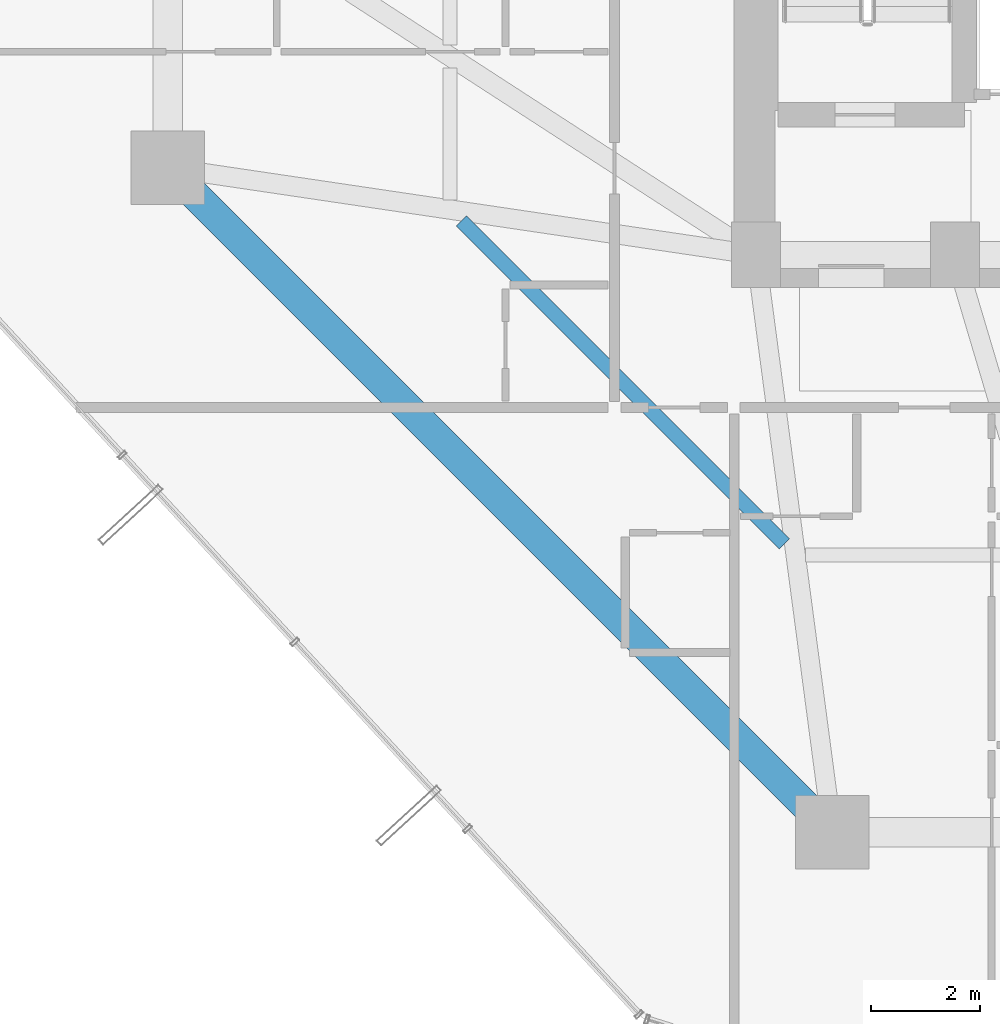
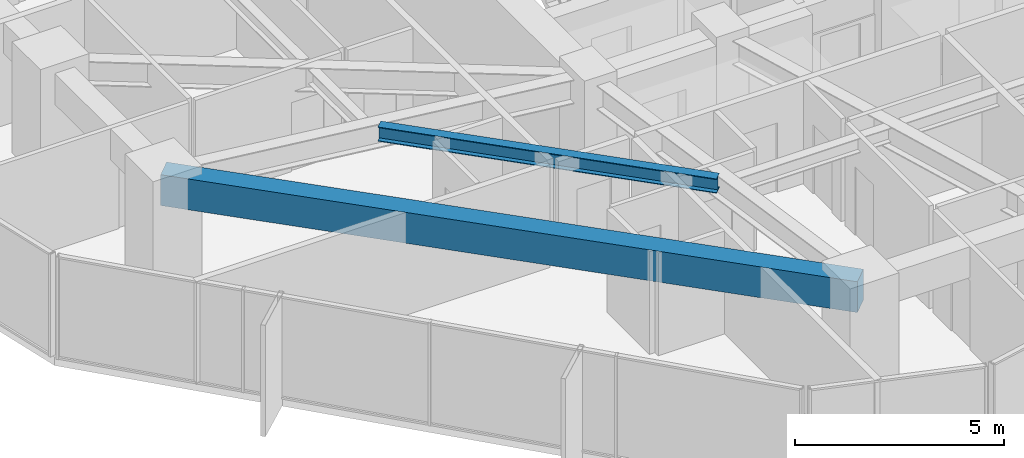
# One storey, part 5 of 39: 2 beams.
"""IFC4 building model written with IfcOpenShell, lengths in metres."""

from ifc_helpers import new_model, si_unit, direction, frame, origin, origin_2d, place, context, subcontext, project, spatial, rectangle, i_section, extrude, material, material_profile, profile_set, type_object, element, save


model = new_model("IFC4")

# Units and contexts
model_context = context("Model", 3, precision=1e-05, world=origin(), true_north=direction((0.0, 1.0)))
body_context = subcontext(model_context, "Body", "Model", "MODEL_VIEW")
ifc_project = project(units=[si_unit("LENGTHUNIT", "METRE"), si_unit("AREAUNIT", "SQUARE_METRE"), si_unit("VOLUMEUNIT", "CUBIC_METRE"), si_unit("PLANEANGLEUNIT", "RADIAN"), si_unit("MASSUNIT", "GRAM", prefix="KILO")], contexts=[model_context])

# Site, building, storey
site_placement = place(None, origin())
site = spatial("IfcSite", under=ifc_project, at=site_placement, CompositionType="ELEMENT")
building_placement = place(site_placement, origin())
building = spatial("IfcBuilding", under=site, at=building_placement, Name="Veraguas Prism Commons", CompositionType="ELEMENT")
storey_placement = place(building_placement, frame((0.0, 0.0, 67.35009765625)))
storey = spatial("IfcBuildingStorey", under=building, at=storey_placement, Name="L18", CompositionType="ELEMENT", Elevation=67.35009765625)

# Beams
ifc_material_1 = material(Name="Steel ASTM A992 Grade 50", Category="steel")
ifc_material_profile_1 = material_profile(ifc_material_1, i_section(OverallWidth=0.260986328125, OverallDepth=0.419921875, WebThickness=0.01171875, FlangeThickness=0.019287109375, at=origin_2d()), Name="W410X114")
ifc_profile_set_1 = profile_set([ifc_material_profile_1], Name="Steel ASTM A992 Grade 50")
beam_type_1 = type_object("IfcBeamType", Name="Lower Floor Joist W410x114", PredefinedType="JOIST", material=ifc_profile_set_1)
beam_1_placement = place(storey_placement, frame((11.79296875, 17.623046875, 2.789794921875), z_axis=(0.707092226423, -0.70712133565, 0.0), x_axis=(0.70712133565, 0.707092226423, 0.0)))
element("IfcBeam", 1, at=beam_1_placement, inside=storey, type_object=beam_type_1, Name="Composite Floor Joist L18-JS09", PredefinedType="JOIST", context=body_context, shape_type="SweptSolid", body=[
    extrude(i_section(OverallWidth=0.260986328125, OverallDepth=0.419921875, WebThickness=0.01171875, FlangeThickness=0.019287109375, at=origin_2d()), origin(), (0.0, 0.0, 1.0), 8.386962890625),
])
ifc_material_2 = material(Name="Concrete C50/60", Category="concrete")
ifc_material_profile_2 = material_profile(ifc_material_2, rectangle(XDim=0.550048828125, YDim=0.89990234375, at=origin_2d()), Name="RC550X900")
ifc_profile_set_2 = profile_set([ifc_material_profile_2], Name="Concrete C50/60")
beam_type_2 = type_object("IfcBeamType", Name="Perimeter Spandrel Lower RC 550x900", PredefinedType="SPANDREL", material=ifc_profile_set_2)
beam_2_placement = place(storey_placement, frame((6.39990234375, 18.60009765625, 2.5498046875), z_axis=(0.707106781187, -0.707106781187, 0.0), x_axis=(0.707106781187, 0.707106781187, 0.0)))
element("IfcBeam", 2, at=beam_2_placement, inside=storey, type_object=beam_type_2, Name="Perimeter Spandrel Beam L18-SP09", PredefinedType="SPANDREL", context=body_context, shape_type="SweptSolid", body=[
    extrude(rectangle(XDim=0.550048828125, YDim=0.89990234375, at=origin_2d()), origin(), (0.0, 0.0, 1.0), 17.253662109375),
])

save(model, "model.ifc")
